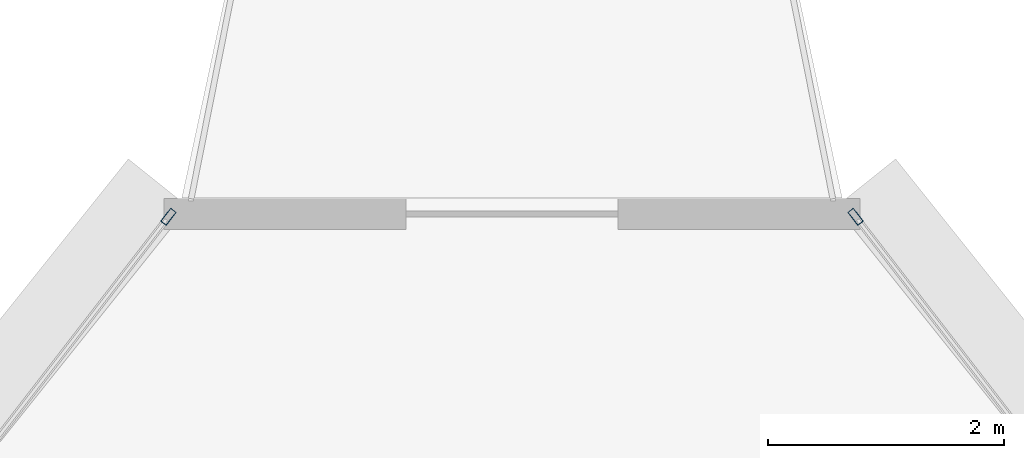
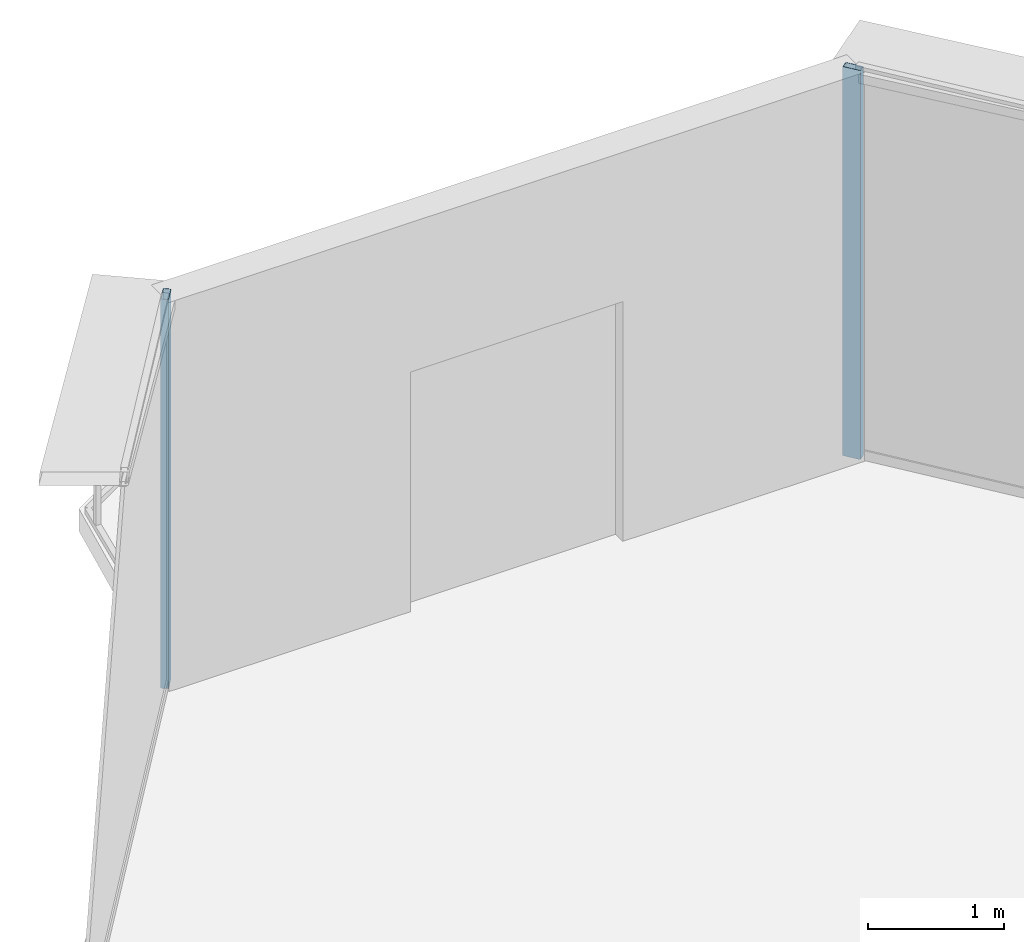
# One storey, part 18 of 29: 2 members, 2 elements without a shape of their own.
"""IFC4 building model written with IfcOpenShell, lengths in metres."""

from ifc_helpers import new_model, si_unit, direction, frame, origin, origin_2d, place, context, subcontext, project, spatial, hollow_rectangle, extrude, source, transform, mapped, material, layer, layer_set, material_profile, profile_set, type_object, element, aggregate, save


model = new_model("IFC4")

# Units and contexts
model_context = context("Model", 3, precision=1e-05, world=origin(), true_north=direction((0.0, 1.0)))
body_context = subcontext(model_context, "Body", "Model", "MODEL_VIEW")
ifc_project = project(units=[si_unit("LENGTHUNIT", "METRE"), si_unit("AREAUNIT", "SQUARE_METRE"), si_unit("VOLUMEUNIT", "CUBIC_METRE"), si_unit("PLANEANGLEUNIT", "RADIAN"), si_unit("MASSUNIT", "GRAM", prefix="KILO"), si_unit("THERMODYNAMICTEMPERATUREUNIT", "KELVIN"), si_unit("POWERUNIT", "WATT")], contexts=[model_context])

# Site, building, storey
site_placement = place(None, origin())
site = spatial("IfcSite", under=ifc_project, at=site_placement, CompositionType="ELEMENT")
building_placement = place(site_placement, origin())
building = spatial("IfcBuilding", under=site, at=building_placement, Name="Yunzhuo Pagoda Commons", CompositionType="ELEMENT")
storey_placement = place(building_placement, frame((0.0, 0.0, 359.260009765625)))
storey = spatial("IfcBuildingStorey", under=building, at=storey_placement, Name="L90", CompositionType="ELEMENT", Elevation=359.260009765625)

# Curtain wall, member
ifc_material = material(Name="Anodized aluminium 6063-T6", Category="aluminium")
ifc_layer = layer(ifc_material, 0.139892578125)
ifc_layer_set = layer_set([ifc_layer], Name="Anodized aluminium 6063-T6")
curtain_wall_type = type_object("IfcCurtainWallType", Name="CW-HI High-Zone Ribbon Curtain Wall", PredefinedType="NOTDEFINED", material=ifc_layer_set)
curtain_wall_1_placement = place(storey_placement, origin())
curtain_wall_1 = element("IfcCurtainWall", 1, at=curtain_wall_1_placement, inside=storey, type_object=curtain_wall_type, Name="L90 curtain wall CW-L90-F2B5", PredefinedType="NOTDEFINED")
ifc_material_profile = material_profile(ifc_material, hollow_rectangle(XDim=0.06005859375, YDim=0.139892578125, WallThickness=0.00341796875, at=origin_2d()), Name="Anodized aluminium 6063-T6")
ifc_profile_set = profile_set([ifc_material_profile], Name="Anodized aluminium 6063-T6")
member_type = type_object("IfcMemberType", Name="CW-HI-M Mullion RHS 140x60x3.5", PredefinedType="MULLION", material=ifc_profile_set)
shared_shape = source(origin(), body_context, "Body", "SweptSolid", [
    extrude(hollow_rectangle(XDim=0.06005859375, YDim=0.139892578125, WallThickness=0.00341796875, at=origin_2d()), origin(), (0.0, 0.0, 1.0), 3.489990234375),
])
member_1_placement = place(storey_placement, frame((50.915283203125, 69.7529296875, 0.0), z_axis=(0.0, 0.0, 1.0), x_axis=(-0.79134909847, -0.61136454293, 0.0)))
member_1 = element("IfcMember", 2, at=member_1_placement, type_object=member_type, Name="CW mullion 2", PredefinedType="MULLION", context=body_context, shape_type="MappedRepresentation", body=[
    mapped(shared_shape, transform((0.0, 0.0, 0.0), scale=1.0)),
])
aggregate(curtain_wall_1, [member_1])

curtain_wall_2_placement = place(storey_placement, origin())
curtain_wall_2 = element("IfcCurtainWall", 3, at=curtain_wall_2_placement, inside=storey, type_object=curtain_wall_type, Name="L90 curtain wall CW-L90-F3B1", PredefinedType="NOTDEFINED")
member_2_placement = place(storey_placement, frame((45.084716796875, 69.7529296875, 0.0), z_axis=(0.0, 0.0, 1.0), x_axis=(0.79134909847, -0.61136454293, 0.0)))
member_2 = element("IfcMember", 4, at=member_2_placement, type_object=member_type, Name="CW mullion 1", PredefinedType="MULLION", context=body_context, shape_type="MappedRepresentation", body=[
    mapped(shared_shape, transform((0.0, 0.0, 0.0), scale=1.0)),
])
aggregate(curtain_wall_2, [member_2])

save(model, "model.ifc")
